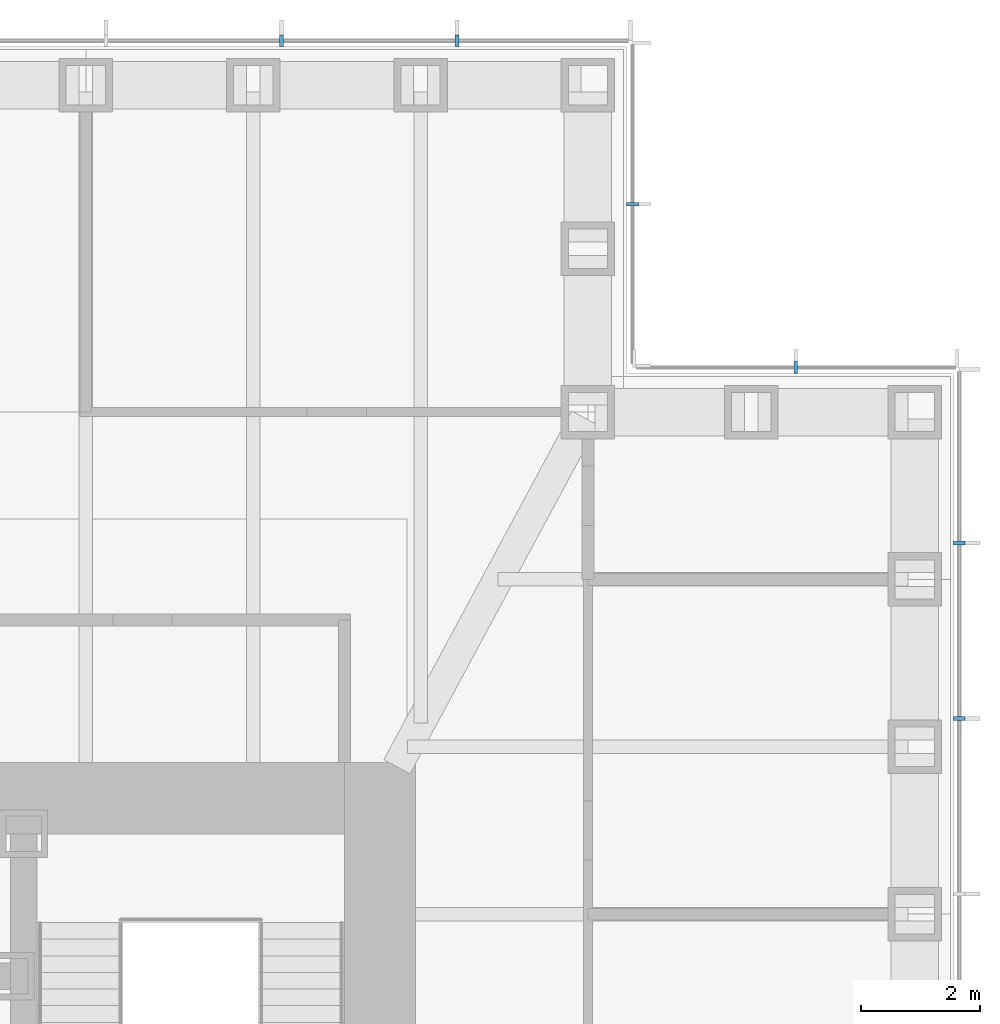
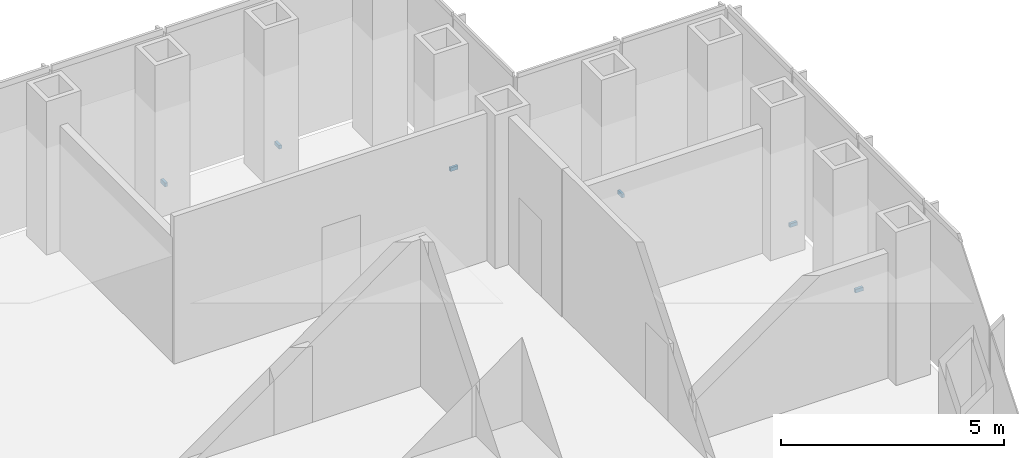
# One storey, part 15 of 16: 6 discrete accessories.
"""IFC4 building model written with IfcOpenShell, lengths in metres."""

from ifc_helpers import new_model, si_unit, direction, frame, origin, origin_2d, place, context, subcontext, project, spatial, rectangle, extrude, element, save


model = new_model("IFC4")

# Units and contexts
model_context = context("Model", 3, precision=1e-05, world=origin(), true_north=direction((0.0, 1.0)))
body_context = subcontext(model_context, "Body", "Model", "MODEL_VIEW")
ifc_project = project(units=[si_unit("LENGTHUNIT", "METRE"), si_unit("AREAUNIT", "SQUARE_METRE"), si_unit("VOLUMEUNIT", "CUBIC_METRE"), si_unit("PLANEANGLEUNIT", "RADIAN"), si_unit("MASSUNIT", "GRAM", prefix="KILO")], contexts=[model_context])

# Site, building, storey
site_placement = place(None, origin())
site = spatial("IfcSite", under=ifc_project, at=site_placement, CompositionType="ELEMENT")
building_placement = place(site_placement, origin())
building = spatial("IfcBuilding", under=site, at=building_placement, Name="Daluyong Arena Tower", CompositionType="ELEMENT")
storey_placement = place(building_placement, frame((0.0, 0.0, 210.699951171875)))
storey = spatial("IfcBuildingStorey", under=building, at=storey_placement, Name="L47", CompositionType="ELEMENT", Elevation=210.699951171875)

# Discrete accessories
for number, where, z_axis, x_axis, name in (
    (1, (77.75, 90.3408203125, -0.10009765625), (0.0, 0.0, 1.0), (0.0, 1.0, 0.0), "curtain wall L47 E anchor bracket 10"),
    (2, (77.75, 93.29541015625, -0.10009765625), (0.0, 0.0, 1.0), (0.0, 1.0, 0.0), "curtain wall L47 E anchor bracket 11"),
):
    element("IfcDiscreteAccessory", number, at=place(storey_placement, frame(where, z_axis=z_axis, x_axis=x_axis)), inside=storey, Name=name, PredefinedType="BRACKET", context=body_context, shape_type="SweptSolid", body=[
        extrude(rectangle(XDim=0.070068359375, YDim=0.199951171875, at=origin_2d()), origin(), (0.0, 0.0, 1.0), 0.10009765625),
    ])
for number, where, z_axis, x_axis, name in (
    (3, (75.0, 96.25, -0.10009765625), (0.0, 0.0, 1.0), (-1.0, 0.0, 0.0), "curtain wall L47 NE-N anchor bracket 2"),
    (4, (72.25, 99.0, -0.10009765625), (0.0, 0.0, 1.0), (0.0, 1.0, 0.0), "curtain wall L47 NE-E anchor bracket 2"),
):
    element("IfcDiscreteAccessory", number, at=place(storey_placement, frame(where, z_axis=z_axis, x_axis=x_axis)), inside=storey, Name=name, PredefinedType="BRACKET", context=body_context, shape_type="SweptSolid", body=[
        extrude(rectangle(XDim=0.06005859375, YDim=0.199951171875, at=origin_2d()), origin(), (0.0, 0.0, 1.0), 0.10009765625),
    ])
for number, where, z_axis, x_axis, name in (
    (5, (69.29541015625, 101.75, -0.10009765625), (0.0, 0.0, 1.0), (-1.0, 0.0, 0.0), "curtain wall L47 N anchor bracket 2"),
    (6, (66.3408203125, 101.75, -0.10009765625), (0.0, 0.0, 1.0), (-1.0, 0.0, 0.0), "curtain wall L47 N anchor bracket 3"),
):
    element("IfcDiscreteAccessory", number, at=place(storey_placement, frame(where, z_axis=z_axis, x_axis=x_axis)), inside=storey, Name=name, PredefinedType="BRACKET", context=body_context, shape_type="SweptSolid", body=[
        extrude(rectangle(XDim=0.070068359375, YDim=0.199951171875, at=origin_2d()), origin(), (0.0, 0.0, 1.0), 0.10009765625),
    ])

save(model, "model.ifc")
